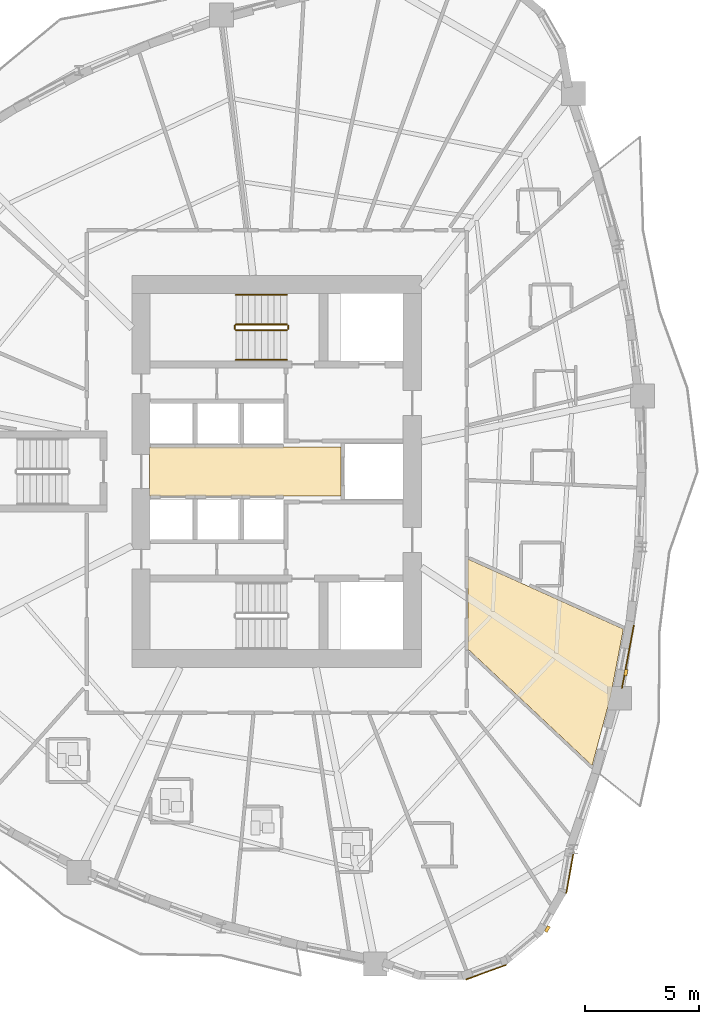
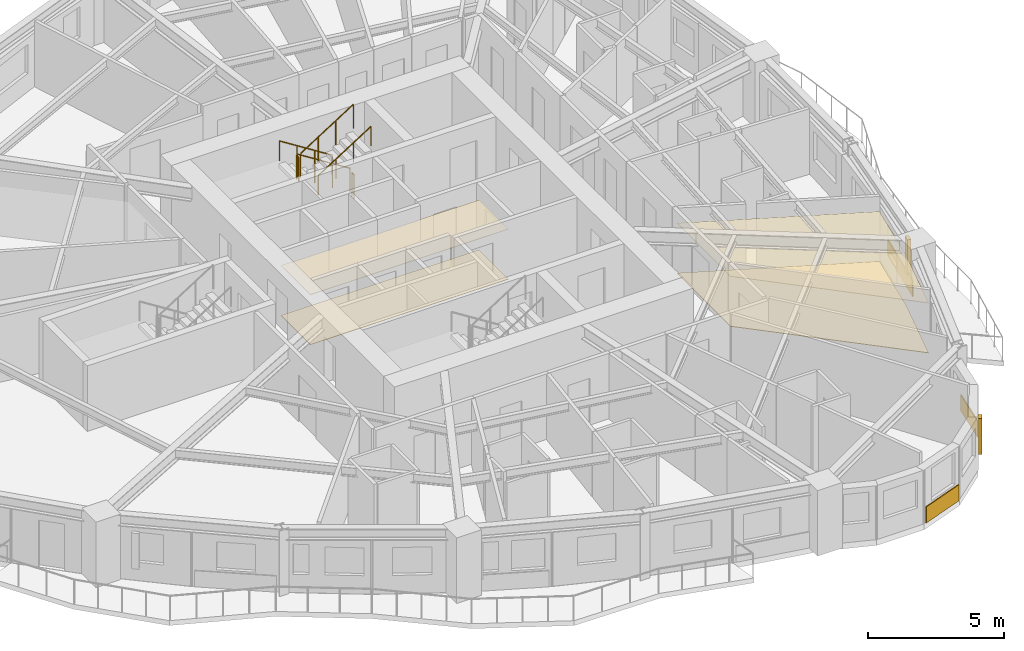
# One storey, part 12 of 14: 7 coverings, 6 railings, 2 shading devices.
"""IFC4 building model written with IfcOpenShell, lengths in metres."""

from ifc_helpers import new_model, si_unit, direction, frame, origin, origin_2d, place, context, subcontext, project, spatial, polyline, rectangle, circle, outline, extrude, source, transform, mapped, material, layer, layer_set, type_object, element, save


model = new_model("IFC4")

# Units and contexts
model_context = context("Model", 3, precision=1e-05, world=origin(), true_north=direction((0.0, 1.0)))
body_context = subcontext(model_context, "Body", "Model", "MODEL_VIEW")
ifc_project = project(units=[si_unit("LENGTHUNIT", "METRE"), si_unit("AREAUNIT", "SQUARE_METRE"), si_unit("VOLUMEUNIT", "CUBIC_METRE"), si_unit("PLANEANGLEUNIT", "RADIAN"), si_unit("MASSUNIT", "GRAM", prefix="KILO")], contexts=[model_context])

# Site, building, storey
site_placement = place(None, origin())
site = spatial("IfcSite", under=ifc_project, at=site_placement, CompositionType="ELEMENT")
building_placement = place(site_placement, origin())
building = spatial("IfcBuilding", under=site, at=building_placement, Name="Qafzar Sky-Pleat Residences", CompositionType="ELEMENT")
storey_placement = place(building_placement, frame((0.0, 0.0, 20.60009765625)))
storey = spatial("IfcBuildingStorey", under=building, at=storey_placement, Name="L05", CompositionType="ELEMENT", Elevation=20.60009765625)

# Coverings
ifc_material_1 = material(Name="Perforated acoustic gypsum board ceiling")
ifc_layer_1 = layer(ifc_material_1, 0.02001953125)
ifc_layer_set_1 = layer_set([ifc_layer_1], Name="Perforated acoustic gypsum board ceiling")
covering_type_1 = type_object("IfcCoveringType", Name="COV-CEIL-ACOUSTIC", PredefinedType="CEILING", material=ifc_layer_set_1)
covering_1_placement = place(storey_placement, frame((0.0, 0.0, 2.239990234375)))
element("IfcCovering", 1, at=covering_1_placement, inside=storey, type_object=covering_type_1, Name="L05 Passenger Lift Lobby Acoustic Ceiling", PredefinedType="CEILING", context=body_context, shape_type="SweptSolid", body=[
    extrude(outline(polyline([(33.179931640625, 24.919921875), (24.77001953125, 24.919921875), (24.77001953125, 27.080078125), (33.179931640625, 27.080078125), (33.179931640625, 24.919921875)])), origin(), (0.0, 0.0, 1.0), 0.02001953125),
])
covering_2_placement = place(storey_placement, frame((0.0, 0.0, 2.239990234375)))
element("IfcCovering", 2, at=covering_2_placement, inside=storey, type_object=covering_type_1, Name="L05 Communal Kitchen Acoustic Ceiling", PredefinedType="CEILING", context=body_context, shape_type="SweptSolid", body=[
    extrude(outline(polyline([(44.1884765625, 13.095703125), (38.739990234375, 18.208740234375), (38.739990234375, 22.15478515625), (45.5576171875, 19.083740234375), (44.998291015625, 16.140869140625), (44.1884765625, 13.095703125)])), origin(), (0.0, 0.0, 1.0), 0.02001953125),
])
ifc_material_2 = material(Name="Honed porcelain and Riyadh stone tile flooring", Category="masonry")
ifc_layer_2 = layer(ifc_material_2, 0.02001953125)
ifc_layer_set_2 = layer_set([ifc_layer_2], Name="Honed porcelain and Riyadh stone tile flooring")
covering_type_2 = type_object("IfcCoveringType", Name="COV-FLR-PORCELAIN", PredefinedType="FLOORING", material=ifc_layer_set_2)
covering_3_placement = place(storey_placement, origin())
element("IfcCovering", 3, at=covering_3_placement, inside=storey, type_object=covering_type_2, Name="L05 Passenger Lift Lobby Honed Stone Flooring", PredefinedType="FLOORING", context=body_context, shape_type="SweptSolid", body=[
    extrude(outline(polyline([(33.179931640625, 24.919921875), (24.77001953125, 24.919921875), (24.77001953125, 27.080078125), (33.179931640625, 27.080078125), (33.179931640625, 24.919921875)])), origin(), (0.0, 0.0, 1.0), 0.02001953125),
])
covering_4_placement = place(storey_placement, origin())
element("IfcCovering", 4, at=covering_4_placement, inside=storey, type_object=covering_type_2, Name="L05 Communal Kitchen Honed Stone Flooring", PredefinedType="FLOORING", context=body_context, shape_type="SweptSolid", body=[
    extrude(outline(polyline([(44.1884765625, 13.095703125), (38.739990234375, 18.208740234375), (38.739990234375, 22.15478515625), (45.5576171875, 19.083740234375), (44.998291015625, 16.140869140625), (44.1884765625, 13.095703125)])), origin(), (0.0, 0.0, 1.0), 0.02001953125),
])

# Shading devices
ifc_material_3 = material(Name="Honed Riyadh limestone solar fin", Category="masonry")
ifc_layer_3 = layer(ifc_material_3, 0.139892578125)
ifc_layer_set_3 = layer_set([ifc_layer_3], Name="Honed Riyadh limestone solar fin")
shading_device_type = type_object("IfcShadingDeviceType", Name="SHD-FIN-STONE", PredefinedType="SHUTTER", material=ifc_layer_set_3)
shared_shape_1 = source(origin(), body_context, "Body", "SweptSolid", [
    extrude(rectangle(XDim=0.139892578125, YDim=0.280029296875, at=origin_2d()), origin(), (0.0, 0.0, 1.0), 1.60009765625),
])
for number, where, z_axis, x_axis, name in (
    (5, (42.224609375, 5.924072265625, 0.599853515625), (0.0, 0.0, 1.0), (0.86603181203, -0.499988900429, 0.0), "L05 Limestone Solar Fin 21"),
    (6, (45.668701171875, 17.177978515625, 0.599853515625), (0.0, 0.0, 1.0), (0.982421191785, -0.186677802463, 0.0), "L05 Limestone Solar Fin 25"),
):
    element("IfcShadingDevice", number, at=place(storey_placement, frame(where, z_axis=z_axis, x_axis=x_axis)), inside=storey, type_object=shading_device_type, Name=name, PredefinedType="SHUTTER", context=body_context, shape_type="MappedRepresentation", body=[
        mapped(shared_shape_1, transform((0.0, 0.0, 0.0), x_axis=(1.0, 0.0, 0.0), y_axis=(0.0, 1.0, 0.0), z_axis=(0.0, 0.0, 1.0), scale=1.0)),
    ])

# Coverings
ifc_material_4 = material(Name="Honed Riyadh Tuwaiq limestone cladding", Category="masonry")
ifc_layer_4 = layer(ifc_material_4, 0.044921875)
ifc_layer_set_4 = layer_set([ifc_layer_4], Name="Honed Riyadh Tuwaiq limestone cladding")
covering_type_3 = type_object("IfcCoveringType", Name="COV-CLAD-STONE", PredefinedType="CLADDING", material=ifc_layer_set_4)
shared_shape_2 = source(origin(), body_context, "Body", "SweptSolid", [
    extrude(rectangle(XDim=1.8291015625, YDim=0.044921875, at=origin_2d()), origin(), (0.0, 0.0, 1.0), 0.719970703125),
])
covering_5_placement = place(storey_placement, frame((43.21435546875, 8.395751953125, 0.02001953125), z_axis=(0.0, 0.0, 1.0), x_axis=(0.17364778674, 0.984807821943, 0.0)))
element("IfcCovering", 7, at=covering_5_placement, inside=storey, type_object=covering_type_3, Name="L05 Riyadh Limestone Spandrel Cladding 22", PredefinedType="CLADDING", context=body_context, shape_type="MappedRepresentation", body=[
    mapped(shared_shape_2, transform((0.0, 0.0, 0.0), x_axis=(1.0, 0.0, 0.0), y_axis=(0.0, 1.0, 0.0), z_axis=(0.0, 0.0, 1.0), scale=1.0)),
])
shared_shape_3 = source(origin(), body_context, "Body", "SweptSolid", [
    extrude(rectangle(XDim=1.881103515625, YDim=0.044921875, at=origin_2d()), origin(), (0.0, 0.0, 1.0), 0.719970703125),
])
covering_6_placement = place(storey_placement, frame((39.53369140625, 4.031982421875, 0.02001953125), z_axis=(0.0, 0.0, 1.0), x_axis=(0.939715179222, 0.34195815817, 0.0)))
element("IfcCovering", 8, at=covering_6_placement, inside=storey, type_object=covering_type_3, Name="L05 Riyadh Limestone Spandrel Cladding 19", PredefinedType="CLADDING", context=body_context, shape_type="MappedRepresentation", body=[
    mapped(shared_shape_3, transform((0.0, 0.0, 0.0), x_axis=(1.0, 0.0, 0.0), y_axis=(0.0, 1.0, 0.0), z_axis=(0.0, 0.0, 1.0), scale=1.0)),
])
shared_shape_4 = source(origin(), body_context, "Body", "SweptSolid", [
    extrude(rectangle(XDim=2.802001953125, YDim=0.044921875, at=origin_2d()), origin(), (0.0, 0.0, 1.0), 0.719970703125),
])
covering_7_placement = place(storey_placement, frame((45.7568359375, 17.871826171875, 0.02001953125), z_axis=(0.0, 0.0, 1.0), x_axis=(0.186681106315, 0.982420563987, 0.0)))
element("IfcCovering", 9, at=covering_7_placement, inside=storey, type_object=covering_type_3, Name="L05 Riyadh Limestone Spandrel Cladding 25", PredefinedType="CLADDING", context=body_context, shape_type="MappedRepresentation", body=[
    mapped(shared_shape_4, transform((0.0, 0.0, 0.0), x_axis=(1.0, 0.0, 0.0), y_axis=(0.0, 1.0, 0.0), z_axis=(0.0, 0.0, 1.0), scale=1.0)),
])

# Railings
ifc_material_5 = material(Name="Painted Steel S355 stair guardrail", Category="steel")
railing_type_1 = type_object("IfcRailingType", Name="RAIL-STAIR-GUARD", PredefinedType="GUARDRAIL", material=ifc_material_5)
shared_shape_5 = source(origin(), body_context, "Body", "SweptSolid", [
    extrude(circle(Radius=0.02392578125, at=origin_2d()), frame((0.0, 0.0, 1.076171875), z_axis=(0.0, -1.0, 0.0), x_axis=(1.0, 0.0, 0.0)), (0.0, 0.0, 1.0), 0.14990234375),
    extrude(circle(Radius=0.02099609375, at=origin_2d()), origin(), (0.0, 0.0, 1.0), 1.052001953125),
    extrude(circle(Radius=0.02099609375, at=origin_2d()), frame((0.0, -0.14990234375, 0.0)), (0.0, 0.0, 1.0), 1.052001953125),
])
for number, where, name in (
    (10, (28.510009765625, 32.39990234375, 1.599853515625), "L05 ST2 stair guard 2"),
    (11, (30.85009765625, 32.39990234375, 0.0), "L05 ST2 stair guard 4"),
):
    element("IfcRailing", number, at=place(storey_placement, frame(where)), inside=storey, type_object=railing_type_1, Name=name, PredefinedType="GUARDRAIL", context=body_context, shape_type="MappedRepresentation", body=[
        mapped(shared_shape_5, transform((0.0, 0.0, 0.0), x_axis=(1.0, 0.0, 0.0), y_axis=(0.0, 1.0, 0.0), z_axis=(0.0, 0.0, 1.0), scale=1.0)),
    ])
shared_shape_6 = source(origin(), body_context, "Body", "SweptSolid", [
    extrude(circle(Radius=0.02392578125, at=origin_2d()), frame((0.0, 0.0, 1.076171875), z_axis=(-0.8442293374, 0.0, 0.53598211339), x_axis=(0.0, -1.0, 0.0)), (0.0, 0.0, 1.0), 2.6533203125),
    extrude(circle(Radius=0.02099609375, at=origin_2d()), origin(), (0.0, 0.0, 1.0), 1.052001953125),
    extrude(circle(Radius=0.02099609375, at=origin_2d()), frame((-0.74658203125, 0.0, 0.47412109375)), (0.0, 0.0, 1.0), 1.052001953125),
    extrude(circle(Radius=0.02099609375, at=origin_2d()), frame((-1.493408203125, 0.0, 0.947998046875)), (0.0, 0.0, 1.0), 1.052001953125),
    extrude(circle(Radius=0.02099609375, at=origin_2d()), frame((-2.239990234375, 0.0, 1.422119140625)), (0.0, 0.0, 1.0), 1.052001953125),
])
railing_1_placement = place(storey_placement, frame((30.800048828125, 32.449951171875, 0.177734375)))
element("IfcRailing", 12, at=railing_1_placement, inside=storey, type_object=railing_type_1, Name="L05 ST2 stair guard 1", PredefinedType="GUARDRAIL", context=body_context, shape_type="MappedRepresentation", body=[
    mapped(shared_shape_6, transform((0.0, 0.0, 0.0), x_axis=(1.0, 0.0, 0.0), y_axis=(0.0, 1.0, 0.0), z_axis=(0.0, 0.0, 1.0), scale=1.0)),
])
ifc_material_6 = material(Name="Brushed stainless steel handrail", Category="steel")
railing_type_2 = type_object("IfcRailingType", Name="RAIL-STAIR-HAND", PredefinedType="HANDRAIL", material=ifc_material_6)
shared_shape_7 = source(origin(), body_context, "Body", "SweptSolid", [
    extrude(circle(Radius=0.02392578125, at=origin_2d()), frame((0.0, 0.0, 0.8759765625), z_axis=(-0.8442293374, 0.0, 0.53598211339), x_axis=(0.0, -1.0, 0.0)), (0.0, 0.0, 1.0), 2.6533203125),
    extrude(circle(Radius=0.02099609375, at=origin_2d()), origin(), (0.0, 0.0, 1.0), 0.851806640625),
    extrude(circle(Radius=0.02099609375, at=origin_2d()), frame((-0.74658203125, 0.0, 0.47412109375)), (0.0, 0.0, 1.0), 0.851806640625),
    extrude(circle(Radius=0.02099609375, at=origin_2d()), frame((-1.493408203125, 0.0, 0.947998046875)), (0.0, 0.0, 1.0), 0.851806640625),
    extrude(circle(Radius=0.02099609375, at=origin_2d()), frame((-2.239990234375, 0.0, 1.422119140625)), (0.0, 0.0, 1.0), 0.851806640625),
])
railing_2_placement = place(storey_placement, frame((30.800048828125, 33.75, 0.177734375)))
element("IfcRailing", 13, at=railing_2_placement, inside=storey, type_object=railing_type_2, Name="L05 ST2 stair handrail 1", PredefinedType="HANDRAIL", context=body_context, shape_type="MappedRepresentation", body=[
    mapped(shared_shape_7, transform((0.0, 0.0, 0.0), x_axis=(1.0, 0.0, 0.0), y_axis=(0.0, 1.0, 0.0), z_axis=(0.0, 0.0, 1.0), scale=1.0)),
])
shared_shape_8 = source(origin(), body_context, "Body", "SweptSolid", [
    extrude(circle(Radius=0.02392578125, at=origin_2d()), frame((0.0, 0.0, 1.076171875), z_axis=(0.84418770128, 0.0, 0.536047689118), x_axis=(0.0, 1.0, 0.0)), (0.0, 0.0, 1.0), 2.6533203125),
    extrude(circle(Radius=0.02099609375, at=origin_2d()), origin(), (0.0, 0.0, 1.0), 1.052001953125),
    extrude(circle(Radius=0.02099609375, at=origin_2d()), frame((0.74658203125, 0.0, 0.47412109375)), (0.0, 0.0, 1.0), 1.052001953125),
    extrude(circle(Radius=0.02099609375, at=origin_2d()), frame((1.493408203125, 0.0, 0.9482421875)), (0.0, 0.0, 1.0), 1.052001953125),
    extrude(circle(Radius=0.02099609375, at=origin_2d()), frame((2.239990234375, 0.0, 1.42236328125)), (0.0, 0.0, 1.0), 1.052001953125),
])
railing_3_placement = place(storey_placement, frame((28.56005859375, 32.199951171875, 1.777587890625)))
element("IfcRailing", 14, at=railing_3_placement, inside=storey, type_object=railing_type_1, Name="L05 ST2 stair guard 3", PredefinedType="GUARDRAIL", context=body_context, shape_type="MappedRepresentation", body=[
    mapped(shared_shape_8, transform((0.0, 0.0, 0.0), x_axis=(1.0, 0.0, 0.0), y_axis=(0.0, 1.0, 0.0), z_axis=(0.0, 0.0, 1.0), scale=1.0)),
])
shared_shape_9 = source(origin(), body_context, "Body", "SweptSolid", [
    extrude(circle(Radius=0.02392578125, at=origin_2d()), frame((0.0, 0.0, 0.8759765625), z_axis=(0.84418770128, 0.0, 0.536047689118), x_axis=(0.0, 1.0, 0.0)), (0.0, 0.0, 1.0), 2.6533203125),
    extrude(circle(Radius=0.02099609375, at=origin_2d()), origin(), (0.0, 0.0, 1.0), 0.851806640625),
    extrude(circle(Radius=0.02099609375, at=origin_2d()), frame((0.74658203125, 0.0, 0.47412109375)), (0.0, 0.0, 1.0), 0.851806640625),
    extrude(circle(Radius=0.02099609375, at=origin_2d()), frame((1.493408203125, 0.0, 0.9482421875)), (0.0, 0.0, 1.0), 0.851806640625),
    extrude(circle(Radius=0.02099609375, at=origin_2d()), frame((2.239990234375, 0.0, 1.42236328125)), (0.0, 0.0, 1.0), 0.851806640625),
])
railing_4_placement = place(storey_placement, frame((28.56005859375, 30.89990234375, 1.777587890625)))
element("IfcRailing", 15, at=railing_4_placement, inside=storey, type_object=railing_type_2, Name="L05 ST2 stair handrail 2", PredefinedType="HANDRAIL", context=body_context, shape_type="MappedRepresentation", body=[
    mapped(shared_shape_9, transform((0.0, 0.0, 0.0), x_axis=(1.0, 0.0, 0.0), y_axis=(0.0, 1.0, 0.0), z_axis=(0.0, 0.0, 1.0), scale=1.0)),
])

save(model, "model.ifc")
